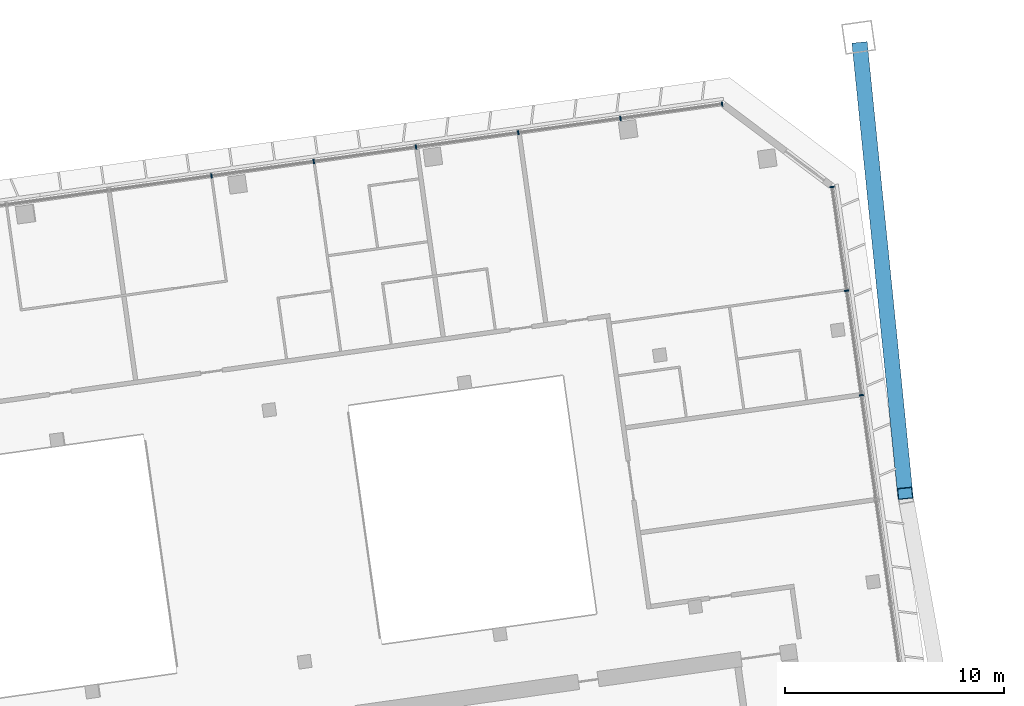
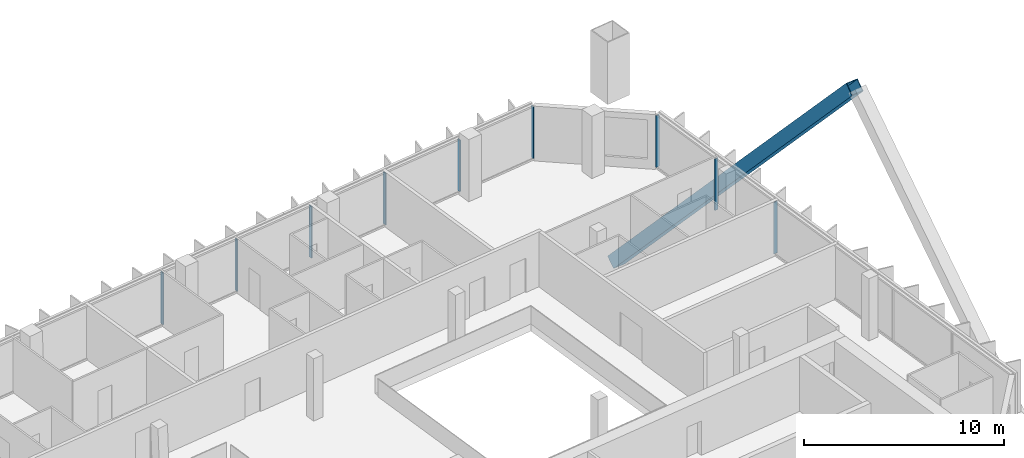
# One storey, part 11 of 23: 10 members, 2 elements without a shape of their own.
"""IFC4 building model written with IfcOpenShell, lengths in metres."""

from ifc_helpers import new_model, si_unit, direction, frame, origin, origin_2d, place, context, subcontext, project, spatial, rectangle, hollow_rectangle, extrude, material, material_profile, profile_set, type_object, element, aggregate, save


model = new_model("IFC4")

# Units and contexts
model_context = context("Model", 3, precision=1e-05, world=origin(), true_north=direction((0.0, 1.0)))
body_context = subcontext(model_context, "Body", "Model", "MODEL_VIEW")
ifc_project = project(units=[si_unit("LENGTHUNIT", "METRE"), si_unit("AREAUNIT", "SQUARE_METRE"), si_unit("VOLUMEUNIT", "CUBIC_METRE"), si_unit("PLANEANGLEUNIT", "RADIAN"), si_unit("MASSUNIT", "GRAM", prefix="KILO")], contexts=[model_context])

# Site, building, storey
site_placement = place(None, origin())
site = spatial("IfcSite", under=ifc_project, at=site_placement, CompositionType="ELEMENT")
building_placement = place(site_placement, origin())
building = spatial("IfcBuilding", under=site, at=building_placement, Name="Mirante Cascada Hotel Towers", CompositionType="ELEMENT")
storey_placement = place(building_placement, frame((0.0, 0.0, 195.4)))
storey = spatial("IfcBuildingStorey", under=building, at=storey_placement, Name="L46", CompositionType="ELEMENT", Elevation=195.4)

# Member
ifc_material_1 = material(Name="Steel ASTM A572 Gr 50", Category="steel")
ifc_material_profile_1 = material_profile(ifc_material_1, hollow_rectangle(XDim=0.7, YDim=0.7, WallThickness=0.035, at=origin_2d()), Name="Box brace 700x700x35 ASTM A572 Gr 50")
ifc_profile_set_1 = profile_set([ifc_material_profile_1], Name="Steel ASTM A572 Gr 50")
member_type_1 = type_object("IfcMemberType", Name="Box brace 700x700x35 ASTM A572 Gr 50", PredefinedType="BRACE", material=ifc_profile_set_1)
member_1_placement = place(storey_placement, frame((82.6009, 26.1016, -9.9053), z_axis=(0.0682068, -0.6742096, 0.7353838), x_axis=(0.9949217, 0.1006519, 0.0)))
element("IfcMember", 1, at=member_1_placement, inside=storey, type_object=member_type_1, Name="brace T2 L46 2", PredefinedType="BRACE", context=body_context, shape_type="SweptSolid", body=[
    extrude(hollow_rectangle(XDim=0.7, YDim=0.7, WallThickness=0.035, at=origin_2d()), origin(), (0.0, 0.0, 1.0), 30.1451),
])

# Curtain wall, members
ifc_material_2 = material(Name="Aluminium mullion and transom frame with clear laminated glass", Category="aluminium")
curtain_wall_type_1 = type_object("IfcCurtainWallType", Name="Ribbon curtain wall ECW1", PredefinedType="NOTDEFINED", material=ifc_material_2)
curtain_wall_1_placement = place(storey_placement, origin())
curtain_wall_1 = element("IfcCurtainWall", 2, at=curtain_wall_1_placement, inside=storey, type_object=curtain_wall_type_1, Name="Front ribbon wall T2 L46", PredefinedType="NOTDEFINED")
ifc_material_3 = material(Name="Anodised aluminium extrusion", Category="aluminium")
ifc_material_profile_2 = material_profile(ifc_material_3, rectangle(XDim=0.2, YDim=0.065, at=origin_2d()), Name="ECW1 MULLION 65x200")
ifc_profile_set_2 = profile_set([ifc_material_profile_2], Name="Anodised aluminium extrusion")
member_type_2 = type_object("IfcMemberType", Name="ECW1 mullion 65x200", PredefinedType="MULLION", material=ifc_profile_set_2)
member_2_placement = place(storey_placement, frame((76.3011, 23.5425, 0.1), z_axis=(0.0, 0.0, 1.0), x_axis=(0.1391731, -0.9902681, 0.0)))
member_2 = element("IfcMember", 3, at=member_2_placement, type_object=member_type_2, Name="ECW1 mullion 1", PredefinedType="MULLION", context=body_context, shape_type="SweptSolid", body=[
    extrude(rectangle(XDim=0.2, YDim=0.065, at=origin_2d()), origin(), (0.0, 0.0, 1.0), 3.15),
])
member_3_placement = place(storey_placement, frame((71.667, 22.8912, 0.1), z_axis=(0.0, 0.0, 1.0), x_axis=(0.1391731, -0.9902681, 0.0)))
member_3 = element("IfcMember", 4, at=member_3_placement, type_object=member_type_2, Name="ECW1 mullion 2", PredefinedType="MULLION", context=body_context, shape_type="SweptSolid", body=[
    extrude(rectangle(XDim=0.2, YDim=0.065, at=origin_2d()), origin(), (0.0, 0.0, 1.0), 3.15),
])
member_4_placement = place(storey_placement, frame((67.0008, 22.2354, 0.1), z_axis=(0.0, 0.0, 1.0), x_axis=(0.1391731, -0.9902681, 0.0)))
member_4 = element("IfcMember", 5, at=member_4_placement, type_object=member_type_2, Name="ECW1 mullion 3", PredefinedType="MULLION", context=body_context, shape_type="SweptSolid", body=[
    extrude(rectangle(XDim=0.2, YDim=0.065, at=origin_2d()), origin(), (0.0, 0.0, 1.0), 3.15),
])
member_5_placement = place(storey_placement, frame((62.3345, 21.5796, 0.1), z_axis=(0.0, 0.0, 1.0), x_axis=(0.1391731, -0.9902681, 0.0)))
member_5 = element("IfcMember", 6, at=member_5_placement, type_object=member_type_2, Name="ECW1 mullion 4", PredefinedType="MULLION", context=body_context, shape_type="SweptSolid", body=[
    extrude(rectangle(XDim=0.2, YDim=0.065, at=origin_2d()), origin(), (0.0, 0.0, 1.0), 3.15),
])
member_6_placement = place(storey_placement, frame((57.6682, 20.9238, 0.1), z_axis=(0.0, 0.0, 1.0), x_axis=(0.1391731, -0.9902681, 0.0)))
member_6 = element("IfcMember", 7, at=member_6_placement, type_object=member_type_2, Name="ECW1 mullion 5", PredefinedType="MULLION", context=body_context, shape_type="SweptSolid", body=[
    extrude(rectangle(XDim=0.2, YDim=0.065, at=origin_2d()), origin(), (0.0, 0.0, 1.0), 3.15),
])
member_7_placement = place(storey_placement, frame((53.0019, 20.268, 0.1), z_axis=(0.0, 0.0, 1.0), x_axis=(0.1391731, -0.9902681, 0.0)))
member_7 = element("IfcMember", 8, at=member_7_placement, type_object=member_type_2, Name="ECW1 mullion 6", PredefinedType="MULLION", context=body_context, shape_type="SweptSolid", body=[
    extrude(rectangle(XDim=0.2, YDim=0.065, at=origin_2d()), origin(), (0.0, 0.0, 1.0), 3.15),
])
aggregate(curtain_wall_1, [member_2, member_3, member_4, member_5, member_6, member_7])

ifc_material_4 = material(Name="Aluminium mullion and transom frame with clear laminated glass", Category="aluminium")
curtain_wall_type_2 = type_object("IfcCurtainWallType", Name="End ribbon curtain wall ECW2", PredefinedType="NOTDEFINED", material=ifc_material_4)
curtain_wall_2_placement = place(storey_placement, origin())
curtain_wall_2 = element("IfcCurtainWall", 9, at=curtain_wall_2_placement, inside=storey, type_object=curtain_wall_type_2, Name="Outer end wall T2 L46", PredefinedType="NOTDEFINED")
ifc_material_5 = material(Name="Anodised aluminium extrusion", Category="aluminium")
ifc_material_profile_3 = material_profile(ifc_material_5, rectangle(XDim=0.2, YDim=0.065, at=origin_2d()), Name="ECW2 MULLION 65x200")
ifc_profile_set_3 = profile_set([ifc_material_profile_3], Name="Anodised aluminium extrusion")
member_type_3 = type_object("IfcMemberType", Name="ECW2 mullion 65x200", PredefinedType="MULLION", material=ifc_profile_set_3)
member_8_placement = place(storey_placement, frame((82.6561, 10.2603, 0.1), z_axis=(0.0, 0.0, 1.0), x_axis=(-0.9902681, -0.1391731, 0.0)))
member_8 = element("IfcMember", 10, at=member_8_placement, type_object=member_type_3, Name="ECW2 mullion 5", PredefinedType="MULLION", context=body_context, shape_type="SweptSolid", body=[
    extrude(rectangle(XDim=0.2, YDim=0.065, at=origin_2d()), origin(), (0.0, 0.0, 1.0), 3.15),
])
member_9_placement = place(storey_placement, frame((81.9864, 15.026, 0.1), z_axis=(0.0, 0.0, 1.0), x_axis=(-0.9902681, -0.1391731, 0.0)))
member_9 = element("IfcMember", 11, at=member_9_placement, type_object=member_type_3, Name="ECW2 mullion 6", PredefinedType="MULLION", context=body_context, shape_type="SweptSolid", body=[
    extrude(rectangle(XDim=0.2, YDim=0.065, at=origin_2d()), origin(), (0.0, 0.0, 1.0), 3.15),
])
member_10_placement = place(storey_placement, frame((81.3211, 19.7596, 0.1), z_axis=(0.0, 0.0, 1.0), x_axis=(-0.9902681, -0.1391731, 0.0)))
member_10 = element("IfcMember", 12, at=member_10_placement, type_object=member_type_3, Name="ECW2 mullion 7", PredefinedType="MULLION", context=body_context, shape_type="SweptSolid", body=[
    extrude(rectangle(XDim=0.2, YDim=0.065, at=origin_2d()), origin(), (0.0, 0.0, 1.0), 3.15),
])
aggregate(curtain_wall_2, [member_8, member_9, member_10])

save(model, "model.ifc")
